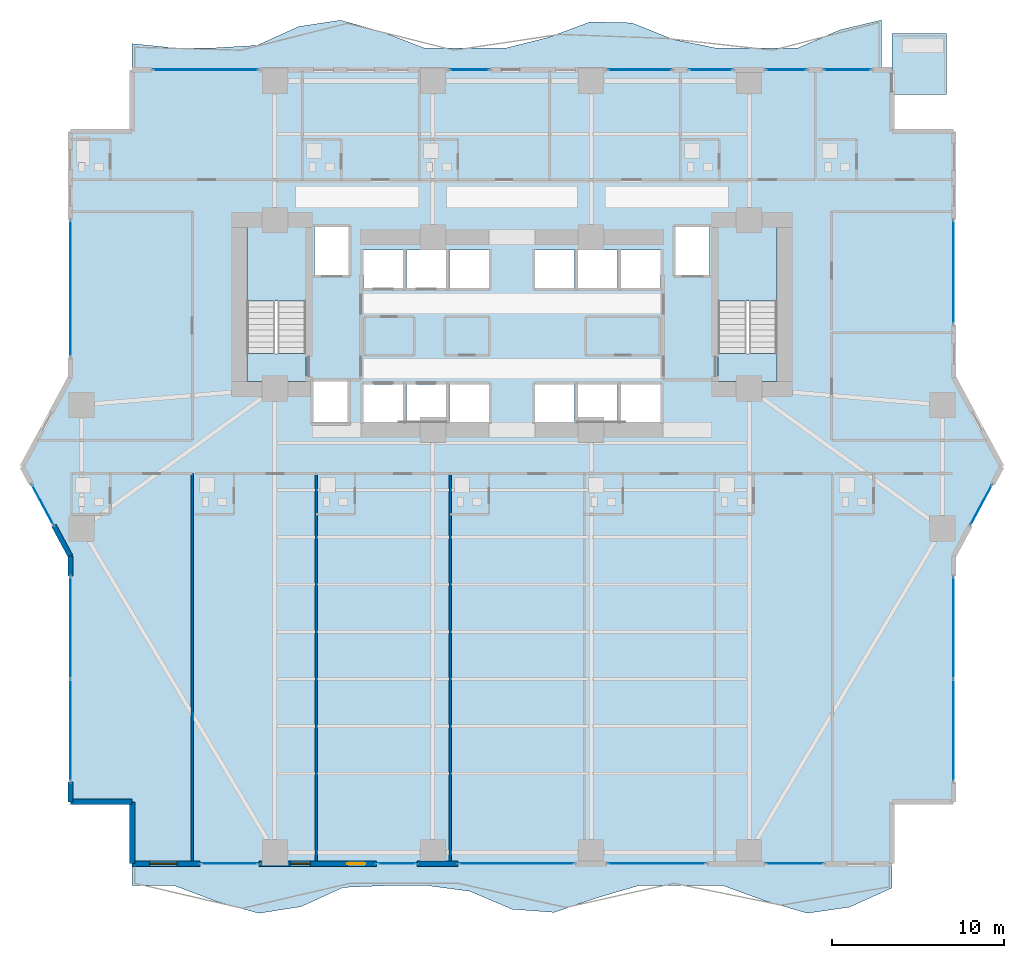
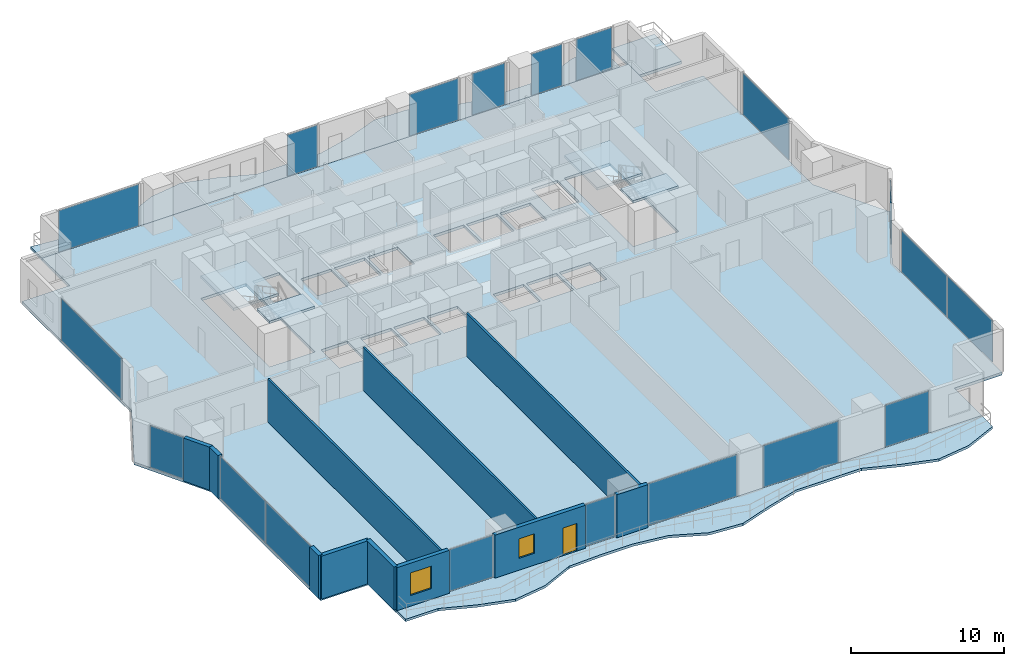
# One storey, part 18 of 28: 19 plates, 11 walls, 8 slabs, 2 windows, 1 door, 3 openings, 19 elements without a shape of their own.
"""IFC4 building model written with IfcOpenShell, lengths in metres."""

import ifcopenshell
import ifcopenshell.guid

model = None  # the IFC model being written
_history = None  # IfcOwnerHistory: only IFC2X3 demands one
_inside = {}  # id of a spatial element -> (the spatial element, [elements in it])
_under = {}  # id of a project, library or spatial element -> (it, [spatial elements below it])
_declared = {}  # id of a project -> (the project, [libraries it declares])
_typed = {}  # id of a type object -> (the type object, [elements of that type])
_made_of = {}  # id of a material, layer set ... -> (it, [elements and type objects made of it])


def new_model(schema):
    """Start an empty IFC model of exactly this schema.

    Asked for "IFC4X3", IfcOpenShell would pick the latest addendum, in which some entities
    have other attributes; the version numbers below select the first issue.
    IFC2X3 requires an IfcOwnerHistory on every rooted entity: one is made here for all.
    """
    global model, _history
    if schema == "IFC4X3":
        model = ifcopenshell.file(schema_version=(4, 3, 0, 0))
    else:
        model = ifcopenshell.file(schema=schema)
    _inside.clear()
    _under.clear()
    _declared.clear()
    _typed.clear()
    _made_of.clear()
    _history = None
    if model.schema == "IFC2X3":
        org = make("IfcOrganization", Name="unknown")
        user = make(
            "IfcPersonAndOrganization",
            ThePerson=make("IfcPerson", FamilyName="unknown"),
            TheOrganization=org,
        )
        app = make(
            "IfcApplication",
            ApplicationDeveloper=org,
            Version="unknown",
            ApplicationFullName="unknown",
            ApplicationIdentifier="unknown",
        )
        _history = make(
            "IfcOwnerHistory",
            OwningUser=user,
            OwningApplication=app,
            ChangeAction="ADDED",
            CreationDate=0,
        )
    return model


def make(cls, **values):
    """One entity of the class cls with the attributes given. An attribute that is None is left unset."""
    return model.create_entity(
        cls, **{name: value for name, value in values.items() if value is not None}
    )


def rooted(cls, **values):
    """An entity with a GlobalId (a new one), such as an element, a storey or a relation."""
    return make(cls, GlobalId=ifcopenshell.guid.new(), OwnerHistory=_history, **values)


def si_unit(unit_type, name, prefix=None):
    """IfcSIUnit, for example si_unit("LENGTHUNIT", "METRE", prefix="MILLI")."""
    return make("IfcSIUnit", UnitType=unit_type, Prefix=prefix, Name=name)


def assignment(units):
    """IfcUnitAssignment: the units of a project."""
    return None if units is None else make("IfcUnitAssignment", Units=units)


def point(xyz):
    """IfcCartesianPoint."""
    return None if xyz is None else make("IfcCartesianPoint", Coordinates=xyz)


def direction(xyz):
    """IfcDirection."""
    return None if xyz is None else make("IfcDirection", DirectionRatios=xyz)


def frame(location, z_axis=None, x_axis=None):
    """IfcAxis2Placement3D, a coordinate frame: its origin and axes. An axis left out is left unset."""
    return make(
        "IfcAxis2Placement3D",
        Location=point(location),
        Axis=direction(z_axis),
        RefDirection=direction(x_axis),
    )


def frame_2d(location, x_axis=None):
    """IfcAxis2Placement2D, a coordinate frame in the plane: its origin and x axis."""
    return make(
        "IfcAxis2Placement2D", Location=point(location), RefDirection=direction(x_axis)
    )


def origin():
    """The frame at (0, 0, 0) with its axes left unset."""
    return frame((0.0, 0.0, 0.0))


def origin_2d():
    """The frame at (0, 0) in the plane with its x axis left unset."""
    return frame_2d((0.0, 0.0))


def place(relative_to, where):
    """IfcLocalPlacement: puts the frame where relative to a parent placement (None: the world)."""
    return make(
        "IfcLocalPlacement", PlacementRelTo=relative_to, RelativePlacement=where
    )


def context(
    kind, dimensions, precision=None, world=None, true_north=None, identifier=None
):
    """IfcGeometricRepresentationContext, for example the 3D "Model" context."""
    return make(
        "IfcGeometricRepresentationContext",
        ContextIdentifier=identifier,
        ContextType=kind,
        CoordinateSpaceDimension=dimensions,
        Precision=precision,
        WorldCoordinateSystem=world,
        TrueNorth=true_north,
    )


def subcontext(parent, identifier, kind, view, scale=None):
    """IfcGeometricRepresentationSubContext, for example "Body" below "Model"."""
    return make(
        "IfcGeometricRepresentationSubContext",
        ContextIdentifier=identifier,
        ContextType=kind,
        ParentContext=parent,
        TargetScale=scale,
        TargetView=view,
    )


def project(units=None, contexts=None):
    """IfcProject with its units and contexts."""
    return rooted(
        "IfcProject",
        Name="project",
        RepresentationContexts=contexts,
        UnitsInContext=assignment(units),
    )


def spatial(cls, under=None, at=None, **own):
    """A site, building, storey or space (cls), placed at a placement, below another one or the project."""
    s = rooted(cls, ObjectPlacement=at, **own)
    if under is not None:
        _under.setdefault(under.id(), (under, []))[1].append(s)
    return s


def polyline(points):
    """IfcPolyline through the points."""
    return make("IfcPolyline", Points=[point(p) for p in points])


def profile(cls, at=None, kind="AREA", **sizes):
    """A parametric profile (cls). Its sizes go by their IFC names, for example OverallWidth=200.0."""
    return make(cls, ProfileType=kind, Position=at, **sizes)


def rectangle(**sizes):
    """IfcRectangleProfileDef."""
    return profile("IfcRectangleProfileDef", **sizes)


def outline(outer, holes=None, kind="AREA"):
    """IfcArbitraryClosedProfileDef: a profile drawn as a closed curve; with holes, ...WithVoids."""
    if holes is None:
        return make("IfcArbitraryClosedProfileDef", ProfileType=kind, OuterCurve=outer)
    return make(
        "IfcArbitraryProfileDefWithVoids",
        ProfileType=kind,
        OuterCurve=outer,
        InnerCurves=holes,
    )


def extrude(swept, where, along, depth):
    """IfcExtrudedAreaSolid: the profile swept, set in the frame where, extruded along a direction by depth."""
    return make(
        "IfcExtrudedAreaSolid",
        SweptArea=swept,
        Position=where,
        ExtrudedDirection=direction(along),
        Depth=depth,
    )


def shape(context_of_items, identifier, shape_type, items):
    """IfcShapeRepresentation: the items that make up one representation, for example the "Body"."""
    return make(
        "IfcShapeRepresentation",
        ContextOfItems=context_of_items,
        RepresentationIdentifier=identifier,
        RepresentationType=shape_type,
        Items=items,
    )


def material(Name=None, Category=None):
    """IfcMaterial."""
    return make("IfcMaterial", Name=Name, Category=Category)


def layer(
    of_material, thickness, ventilated=None, Name=None, Category=None, Priority=None
):
    """IfcMaterialLayer: one layer of a wall or slab, of a material (None: an air gap)."""
    return make(
        "IfcMaterialLayer",
        Material=of_material,
        LayerThickness=thickness,
        IsVentilated=ventilated,
        Name=Name,
        Category=Category,
        Priority=Priority,
    )


def layer_set(layers, Name=None):
    """IfcMaterialLayerSet."""
    return make("IfcMaterialLayerSet", MaterialLayers=layers, LayerSetName=Name)


def made_of(thing, what):
    """Note that an element or type object is made of a material, layer set ...; save() writes the relation."""
    if what is not None:
        _made_of.setdefault(what.id(), (what, []))[1].append(thing)
    return thing


def type_object(cls, material=None, **own):
    """A type object (cls), such as IfcWallType, which elements share."""
    return made_of(rooted(cls, **own), material)


def element(
    cls,
    number,
    at=None,
    inside=None,
    cuts=None,
    type_object=None,
    material=None,
    context=None,
    identifier="Body",
    shape_type=None,
    held_by="IfcProductDefinitionShape",
    body=None,
    shapes=None,
    **own,
):
    """One element of the class cls, such as IfcWall. Its Tag is "e" and its number.

    at: its placement. inside: the storey or other place that contains it. cuts: it is an
    opening in that element (IfcRelVoidsElement). A single representation is given by context,
    identifier, shape_type and body (its items); several are given by shapes. held_by: the class
    of the entity that holds the representations. save() writes the other relations.
    """
    e = rooted(cls, Tag="e%d" % number, ObjectPlacement=at, **own)
    if body is not None:
        shapes = [shape(context, identifier, shape_type, body)]
    if shapes is not None:
        e.Representation = make(held_by, Representations=shapes)
    if inside is not None:
        _inside.setdefault(inside.id(), (inside, []))[1].append(e)
    if cuts is not None:
        rooted(
            "IfcRelVoidsElement", RelatingBuildingElement=cuts, RelatedOpeningElement=e
        )
    if type_object is not None:
        _typed.setdefault(type_object.id(), (type_object, []))[1].append(e)
    return made_of(e, material)


def fill(opening, filler):
    """IfcRelFillsElement: the door or window that sits in an opening."""
    return rooted(
        "IfcRelFillsElement",
        RelatingOpeningElement=opening,
        RelatedBuildingElement=filler,
    )


def aggregate(whole, parts):
    """IfcRelAggregates: a whole, such as a stair, and the parts it consists of."""
    return rooted("IfcRelAggregates", RelatingObject=whole, RelatedObjects=parts)


def save(model, path):
    """Write the relations noted so far, then the file.

    IfcRelAggregates (storeys below a building ...), IfcRelContainedInSpatialStructure (elements
    in a storey), IfcRelDefinesByType, IfcRelAssociatesMaterial and IfcRelDeclares: one each for
    every whole, place, type object, material and project.
    """
    for whole, parts in _under.values():
        aggregate(whole, parts)
    for where, things in _inside.values():
        rooted(
            "IfcRelContainedInSpatialStructure",
            RelatedElements=things,
            RelatingStructure=where,
        )
    for kind, things in _typed.values():
        rooted("IfcRelDefinesByType", RelatedObjects=things, RelatingType=kind)
    for what, things in _made_of.values():
        rooted("IfcRelAssociatesMaterial", RelatedObjects=things, RelatingMaterial=what)
    for by, libraries in _declared.values():
        rooted("IfcRelDeclares", RelatingContext=by, RelatedDefinitions=libraries)
    model.write(path)


model = new_model("IFC4")

# Units and contexts
model_context = context("Model", 3, precision=1e-05, world=origin(), true_north=direction((0.0, 1.0)))
body_context = subcontext(model_context, "Body", "Model", "MODEL_VIEW")
ifc_project = project(units=[si_unit("LENGTHUNIT", "METRE"), si_unit("AREAUNIT", "SQUARE_METRE"), si_unit("VOLUMEUNIT", "CUBIC_METRE"), si_unit("PLANEANGLEUNIT", "RADIAN"), si_unit("MASSUNIT", "GRAM", prefix="KILO")], contexts=[model_context])

# Site, building, storey
site_placement = place(None, origin())
site = spatial("IfcSite", under=ifc_project, at=site_placement, CompositionType="ELEMENT")
building_placement = place(site_placement, origin())
building = spatial("IfcBuilding", under=site, at=building_placement, Name="Zuhayl Quay Hotel", CompositionType="ELEMENT")
storey_placement = place(building_placement, frame((0.0, 0.0, 56.800048828125)))
storey = spatial("IfcBuildingStorey", under=building, at=storey_placement, Name="L13", CompositionType="ELEMENT", Elevation=56.800048828125)

# Curtain wall, plates
ifc_material_1 = material(Name="Anodised Aluminium 6063-T6", Category="aluminium")
ifc_layer_1 = layer(ifc_material_1, 0.18994140625, Name="Anodised Aluminium 6063-T6", Category="aluminium")
ifc_layer_set_1 = layer_set([ifc_layer_1], Name="Anodised Aluminium 6063-T6")
curtain_wall_type = type_object("IfcCurtainWallType", Name="CW_SYS_Z1", PredefinedType="USERDEFINED", material=ifc_layer_set_1)
curtain_wall_1_placement = place(storey_placement, origin())
curtain_wall_1 = element("IfcCurtainWall", 1, at=curtain_wall_1_placement, inside=storey, type_object=curtain_wall_type, Name="L13 Curtain Wall ENV_L13_E02_CW1", ObjectType="UNITISED CURTAIN WALL", PredefinedType="USERDEFINED")
ifc_material_2 = material(Name="Dark Ceramic-Fritted Solar Glass", Category="glass")
ifc_layer_2 = layer(ifc_material_2, 0.035888671875, Name="Dark Ceramic-Fritted Solar Glass", Category="glass")
ifc_layer_set_2 = layer_set([ifc_layer_2], Name="Dark Ceramic-Fritted Solar Glass")
plate_type = type_object("IfcPlateType", Name="PN_DARK_FRIT_Z1", PredefinedType="CURTAIN_PANEL", material=ifc_layer_set_2)
plate_1_placement = place(storey_placement, frame((-25.699951171875, -15.331298828125, 0.059814453125), z_axis=(0.0, 0.0, 1.0), x_axis=(0.0, 1.0, 0.0)))
plate_1 = element("IfcPlate", 2, at=plate_1_placement, type_object=plate_type, Name="CW-Z1 panel 1.1", PredefinedType="CURTAIN_PANEL", context=body_context, shape_type="SweptSolid", body=[
    extrude(rectangle(XDim=5.887451171875, YDim=0.035888671875, at=origin_2d()), origin(), (0.0, 0.0, 1.0), 3.31005859375),
])
plate_2_placement = place(storey_placement, frame((-25.699951171875, -9.36865234375, 0.059814453125), z_axis=(0.0, 0.0, 1.0), x_axis=(0.0, 1.0, 0.0)))
plate_2 = element("IfcPlate", 3, at=plate_2_placement, type_object=plate_type, Name="CW-Z1 panel 2.1", PredefinedType="CURTAIN_PANEL", context=body_context, shape_type="SweptSolid", body=[
    extrude(rectangle(XDim=5.887451171875, YDim=0.035888671875, at=origin_2d()), origin(), (0.0, 0.0, 1.0), 3.31005859375),
])
aggregate(curtain_wall_1, [plate_1, plate_2])

# Curtain wall, plate
curtain_wall_2_placement = place(storey_placement, origin())
curtain_wall_2 = element("IfcCurtainWall", 4, at=curtain_wall_2_placement, inside=storey, type_object=curtain_wall_type, Name="L13 Curtain Wall ENV_L13_E03_CW1", ObjectType="UNITISED CURTAIN WALL", PredefinedType="USERDEFINED")
plate_3_placement = place(storey_placement, frame((-27.306396484375, -2.216796875, 0.059814453125), z_axis=(0.0, 0.0, 1.0), x_axis=(-0.474091102632, 0.880475795468, 0.0)))
plate_3 = element("IfcPlate", 5, at=plate_3_placement, type_object=plate_type, Name="CW-Z1 panel 1.1", PredefinedType="CURTAIN_PANEL", context=body_context, shape_type="SweptSolid", body=[
    extrude(rectangle(XDim=2.58544921875, YDim=0.035888671875, at=origin_2d()), origin(), (0.0, 0.0, 1.0), 3.31005859375),
])
aggregate(curtain_wall_2, [plate_3])

curtain_wall_3_placement = place(storey_placement, origin())
curtain_wall_3 = element("IfcCurtainWall", 6, at=curtain_wall_3_placement, inside=storey, type_object=curtain_wall_type, Name="L13 Curtain Wall ENV_L13_E05_CW1", ObjectType="UNITISED CURTAIN WALL", PredefinedType="USERDEFINED")
plate_4_placement = place(storey_placement, frame((-25.699951171875, 10.375, 0.059814453125), z_axis=(0.0, 0.0, 1.0), x_axis=(0.0, 1.0, 0.0)))
plate_4 = element("IfcPlate", 7, at=plate_4_placement, type_object=plate_type, Name="CW-Z1 panel 1.1", PredefinedType="CURTAIN_PANEL", context=body_context, shape_type="SweptSolid", body=[
    extrude(rectangle(XDim=7.89990234375, YDim=0.035888671875, at=origin_2d()), origin(), (0.0, 0.0, 1.0), 3.31005859375),
])
aggregate(curtain_wall_3, [plate_4])

curtain_wall_4_placement = place(storey_placement, origin())
curtain_wall_4 = element("IfcCurtainWall", 8, at=curtain_wall_4_placement, inside=storey, type_object=curtain_wall_type, Name="L13 Curtain Wall ENV_L13_N_CW1", ObjectType="UNITISED CURTAIN WALL", PredefinedType="USERDEFINED")
plate_5_placement = place(storey_placement, frame((-17.8349609375, 23.10009765625, 0.059814453125), z_axis=(0.0, 0.0, 1.0), x_axis=(1.0, 0.0, 0.0)))
plate_5 = element("IfcPlate", 9, at=plate_5_placement, type_object=plate_type, Name="CW-Z1 panel 1.1", PredefinedType="CURTAIN_PANEL", context=body_context, shape_type="SweptSolid", body=[
    extrude(rectangle(XDim=6.080078125, YDim=0.035888671875, at=origin_2d()), origin(), (0.0, 0.0, 1.0), 3.31005859375),
])
aggregate(curtain_wall_4, [plate_5])

curtain_wall_5_placement = place(storey_placement, origin())
curtain_wall_5 = element("IfcCurtainWall", 10, at=curtain_wall_5_placement, inside=storey, type_object=curtain_wall_type, Name="L13 Curtain Wall ENV_L13_N_CW2", ObjectType="UNITISED CURTAIN WALL", PredefinedType="USERDEFINED")
plate_6_placement = place(storey_placement, frame((-2.467529296875, 23.10009765625, 0.059814453125), z_axis=(0.0, 0.0, 1.0), x_axis=(1.0, 0.0, 0.0)))
plate_6 = element("IfcPlate", 11, at=plate_6_placement, type_object=plate_type, Name="CW-Z1 panel 1.1", PredefinedType="CURTAIN_PANEL", context=body_context, shape_type="SweptSolid", body=[
    extrude(rectangle(XDim=2.27490234375, YDim=0.035888671875, at=origin_2d()), origin(), (0.0, 0.0, 1.0), 3.31005859375),
])
aggregate(curtain_wall_5, [plate_6])

curtain_wall_6_placement = place(storey_placement, origin())
curtain_wall_6 = element("IfcCurtainWall", 12, at=curtain_wall_6_placement, inside=storey, type_object=curtain_wall_type, Name="L13 Curtain Wall ENV_L13_N_CW3", ObjectType="UNITISED CURTAIN WALL", PredefinedType="USERDEFINED")
plate_7_placement = place(storey_placement, frame((7.43505859375, 23.10009765625, 0.059814453125), z_axis=(0.0, 0.0, 1.0), x_axis=(1.0, 0.0, 0.0)))
plate_7 = element("IfcPlate", 13, at=plate_7_placement, type_object=plate_type, Name="CW-Z1 panel 1.1", PredefinedType="CURTAIN_PANEL", context=body_context, shape_type="SweptSolid", body=[
    extrude(rectangle(XDim=3.679931640625, YDim=0.035888671875, at=origin_2d()), origin(), (0.0, 0.0, 1.0), 3.31005859375),
])
aggregate(curtain_wall_6, [plate_7])

curtain_wall_7_placement = place(storey_placement, origin())
curtain_wall_7 = element("IfcCurtainWall", 14, at=curtain_wall_7_placement, inside=storey, type_object=curtain_wall_type, Name="L13 Curtain Wall ENV_L13_N_CW4", ObjectType="UNITISED CURTAIN WALL", PredefinedType="USERDEFINED")
plate_8_placement = place(storey_placement, frame((11.56494140625, 23.10009765625, 0.059814453125), z_axis=(0.0, 0.0, 1.0), x_axis=(1.0, 0.0, 0.0)))
plate_8 = element("IfcPlate", 15, at=plate_8_placement, type_object=plate_type, Name="CW-Z1 panel 1.1", PredefinedType="CURTAIN_PANEL", context=body_context, shape_type="SweptSolid", body=[
    extrude(rectangle(XDim=2.47998046875, YDim=0.035888671875, at=origin_2d()), origin(), (0.0, 0.0, 1.0), 3.31005859375),
])
aggregate(curtain_wall_7, [plate_8])

curtain_wall_8_placement = place(storey_placement, origin())
curtain_wall_8 = element("IfcCurtainWall", 16, at=curtain_wall_8_placement, inside=storey, type_object=curtain_wall_type, Name="L13 Curtain Wall ENV_L13_N_CW5", ObjectType="UNITISED CURTAIN WALL", PredefinedType="USERDEFINED")
plate_9_placement = place(storey_placement, frame((15.955078125, 23.10009765625, 0.059814453125), z_axis=(0.0, 0.0, 1.0), x_axis=(1.0, 0.0, 0.0)))
plate_9 = element("IfcPlate", 17, at=plate_9_placement, type_object=plate_type, Name="CW-Z1 panel 1.1", PredefinedType="CURTAIN_PANEL", context=body_context, shape_type="SweptSolid", body=[
    extrude(rectangle(XDim=2.320068359375, YDim=0.035888671875, at=origin_2d()), origin(), (0.0, 0.0, 1.0), 3.31005859375),
])
aggregate(curtain_wall_8, [plate_9])

curtain_wall_9_placement = place(storey_placement, origin())
curtain_wall_9 = element("IfcCurtainWall", 18, at=curtain_wall_9_placement, inside=storey, type_object=curtain_wall_type, Name="L13 Curtain Wall ENV_L13_N_CW6", ObjectType="UNITISED CURTAIN WALL", PredefinedType="USERDEFINED")
plate_10_placement = place(storey_placement, frame((19.52001953125, 23.10009765625, 0.059814453125), z_axis=(0.0, 0.0, 1.0), x_axis=(1.0, 0.0, 0.0)))
plate_10 = element("IfcPlate", 19, at=plate_10_placement, type_object=plate_type, Name="CW-Z1 panel 1.1", PredefinedType="CURTAIN_PANEL", context=body_context, shape_type="SweptSolid", body=[
    extrude(rectangle(XDim=2.7099609375, YDim=0.035888671875, at=origin_2d()), origin(), (0.0, 0.0, 1.0), 3.31005859375),
])
aggregate(curtain_wall_9, [plate_10])

curtain_wall_10_placement = place(storey_placement, origin())
curtain_wall_10 = element("IfcCurtainWall", 20, at=curtain_wall_10_placement, inside=storey, type_object=curtain_wall_type, Name="L13 Curtain Wall ENV_L13_E11_CW1", ObjectType="UNITISED CURTAIN WALL", PredefinedType="USERDEFINED")
plate_11_placement = place(storey_placement, frame((25.699951171875, 11.324951171875, 0.059814453125), z_axis=(0.0, 0.0, 1.0), x_axis=(0.0, -1.0, 0.0)))
plate_11 = element("IfcPlate", 21, at=plate_11_placement, type_object=plate_type, Name="CW-Z1 panel 1.1", PredefinedType="CURTAIN_PANEL", context=body_context, shape_type="SweptSolid", body=[
    extrude(rectangle(XDim=6.0, YDim=0.035888671875, at=origin_2d()), origin(), (0.0, 0.0, 1.0), 3.31005859375),
])
aggregate(curtain_wall_10, [plate_11])

curtain_wall_11_placement = place(storey_placement, origin())
curtain_wall_11 = element("IfcCurtainWall", 22, at=curtain_wall_11_placement, inside=storey, type_object=curtain_wall_type, Name="L13 Curtain Wall ENV_L13_E13_CW1", ObjectType="UNITISED CURTAIN WALL", PredefinedType="USERDEFINED")
plate_12_placement = place(storey_placement, frame((27.306396484375, -2.216796875, 0.059814453125), z_axis=(0.0, 0.0, 1.0), x_axis=(-0.474091102632, -0.880475795468, 0.0)))
plate_12 = element("IfcPlate", 23, at=plate_12_placement, type_object=plate_type, Name="CW-Z1 panel 1.1", PredefinedType="CURTAIN_PANEL", context=body_context, shape_type="SweptSolid", body=[
    extrude(rectangle(XDim=2.58544921875, YDim=0.035888671875, at=origin_2d()), origin(), (0.0, 0.0, 1.0), 3.31005859375),
])
aggregate(curtain_wall_11, [plate_12])

# Curtain wall, plates
curtain_wall_12_placement = place(storey_placement, origin())
curtain_wall_12 = element("IfcCurtainWall", 24, at=curtain_wall_12_placement, inside=storey, type_object=curtain_wall_type, Name="L13 Curtain Wall ENV_L13_E14_CW1", ObjectType="UNITISED CURTAIN WALL", PredefinedType="USERDEFINED")
plate_13_placement = place(storey_placement, frame((25.699951171875, -9.36865234375, 0.059814453125), z_axis=(0.0, 0.0, 1.0), x_axis=(0.0, -1.0, 0.0)))
plate_13 = element("IfcPlate", 25, at=plate_13_placement, type_object=plate_type, Name="CW-Z1 panel 1.1", PredefinedType="CURTAIN_PANEL", context=body_context, shape_type="SweptSolid", body=[
    extrude(rectangle(XDim=5.887451171875, YDim=0.035888671875, at=origin_2d()), origin(), (0.0, 0.0, 1.0), 3.31005859375),
])
plate_14_placement = place(storey_placement, frame((25.699951171875, -15.331298828125, 0.059814453125), z_axis=(0.0, 0.0, 1.0), x_axis=(0.0, -1.0, 0.0)))
plate_14 = element("IfcPlate", 26, at=plate_14_placement, type_object=plate_type, Name="CW-Z1 panel 2.1", PredefinedType="CURTAIN_PANEL", context=body_context, shape_type="SweptSolid", body=[
    extrude(rectangle(XDim=5.887451171875, YDim=0.035888671875, at=origin_2d()), origin(), (0.0, 0.0, 1.0), 3.31005859375),
])
aggregate(curtain_wall_12, [plate_13, plate_14])

# Curtain wall, plate
curtain_wall_13_placement = place(storey_placement, origin())
curtain_wall_13 = element("IfcCurtainWall", 27, at=curtain_wall_13_placement, inside=storey, type_object=curtain_wall_type, Name="L13 Curtain Wall ENV_L13_S_CW1", ObjectType="UNITISED CURTAIN WALL", PredefinedType="USERDEFINED")
plate_15_placement = place(storey_placement, frame((16.455078125, -23.10009765625, 0.059814453125), z_axis=(0.0, 0.0, 1.0), x_axis=(-1.0, 0.0, 0.0)))
plate_15 = element("IfcPlate", 28, at=plate_15_placement, type_object=plate_type, Name="CW-Z1 panel 1.1", PredefinedType="CURTAIN_PANEL", context=body_context, shape_type="SweptSolid", body=[
    extrude(rectangle(XDim=3.320068359375, YDim=0.035888671875, at=origin_2d()), origin(), (0.0, 0.0, 1.0), 3.31005859375),
])
aggregate(curtain_wall_13, [plate_15])

curtain_wall_14_placement = place(storey_placement, origin())
curtain_wall_14 = element("IfcCurtainWall", 29, at=curtain_wall_14_placement, inside=storey, type_object=curtain_wall_type, Name="L13 Curtain Wall ENV_L13_S_CW2", ObjectType="UNITISED CURTAIN WALL", PredefinedType="USERDEFINED")
plate_16_placement = place(storey_placement, frame((8.43505859375, -23.10009765625, 0.059814453125), z_axis=(0.0, 0.0, 1.0), x_axis=(-1.0, 0.0, 0.0)))
plate_16 = element("IfcPlate", 30, at=plate_16_placement, type_object=plate_type, Name="CW-Z1 panel 1.1", PredefinedType="CURTAIN_PANEL", context=body_context, shape_type="SweptSolid", body=[
    extrude(rectangle(XDim=5.679931640625, YDim=0.035888671875, at=origin_2d()), origin(), (0.0, 0.0, 1.0), 3.31005859375),
])
aggregate(curtain_wall_14, [plate_16])

curtain_wall_15_placement = place(storey_placement, origin())
curtain_wall_15 = element("IfcCurtainWall", 31, at=curtain_wall_15_placement, inside=storey, type_object=curtain_wall_type, Name="L13 Curtain Wall ENV_L13_S_CW3", ObjectType="UNITISED CURTAIN WALL", PredefinedType="USERDEFINED")
plate_17_placement = place(storey_placement, frame((0.264892578125, -23.10009765625, 0.059814453125), z_axis=(0.0, 0.0, 1.0), x_axis=(-1.0, 0.0, 0.0)))
plate_17 = element("IfcPlate", 32, at=plate_17_placement, type_object=plate_type, Name="CW-Z1 panel 1.1", PredefinedType="CURTAIN_PANEL", context=body_context, shape_type="SweptSolid", body=[
    extrude(rectangle(XDim=6.679931640625, YDim=0.035888671875, at=origin_2d()), origin(), (0.0, 0.0, 1.0), 3.31005859375),
])
aggregate(curtain_wall_15, [plate_17])

curtain_wall_16_placement = place(storey_placement, origin())
curtain_wall_16 = element("IfcCurtainWall", 33, at=curtain_wall_16_placement, inside=storey, type_object=curtain_wall_type, Name="L13 Curtain Wall ENV_L13_S_CW4", ObjectType="UNITISED CURTAIN WALL", PredefinedType="USERDEFINED")
plate_18_placement = place(storey_placement, frame((-6.702392578125, -23.10009765625, 0.059814453125), z_axis=(0.0, 0.0, 1.0), x_axis=(-1.0, 0.0, 0.0)))
plate_18 = element("IfcPlate", 34, at=plate_18_placement, type_object=plate_type, Name="CW-Z1 panel 1.1", PredefinedType="CURTAIN_PANEL", context=body_context, shape_type="SweptSolid", body=[
    extrude(rectangle(XDim=2.215087890625, YDim=0.035888671875, at=origin_2d()), origin(), (0.0, 0.0, 1.0), 3.31005859375),
])
aggregate(curtain_wall_16, [plate_18])

curtain_wall_17_placement = place(storey_placement, origin())
curtain_wall_17 = element("IfcCurtainWall", 35, at=curtain_wall_17_placement, inside=storey, type_object=curtain_wall_type, Name="L13 Curtain Wall ENV_L13_S_CW5", ObjectType="UNITISED CURTAIN WALL", PredefinedType="USERDEFINED")
plate_19_placement = place(storey_placement, frame((-16.43505859375, -23.10009765625, 0.059814453125), z_axis=(0.0, 0.0, 1.0), x_axis=(-1.0, 0.0, 0.0)))
plate_19 = element("IfcPlate", 36, at=plate_19_placement, type_object=plate_type, Name="CW-Z1 panel 1.1", PredefinedType="CURTAIN_PANEL", context=body_context, shape_type="SweptSolid", body=[
    extrude(rectangle(XDim=3.280029296875, YDim=0.035888671875, at=origin_2d()), origin(), (0.0, 0.0, 1.0), 3.31005859375),
])
aggregate(curtain_wall_17, [plate_19])

# Slabs
ifc_material_3 = material(Name="Concrete C45/55", Category="concrete")
ifc_layer_3 = layer(ifc_material_3, 0.195068359375, Name="Concrete C45/55", Category="concrete")
ifc_layer_set_3 = layer_set([ifc_layer_3], Name="Concrete C45/55")
slab_type_1 = type_object("IfcSlabType", Name="SL_BALCONY_195", PredefinedType="FLOOR", material=ifc_layer_set_3)
slab_1_placement = place(storey_placement, frame((0.0, 0.0, -0.195068359375)))
element("IfcSlab", 37, at=slab_1_placement, inside=storey, type_object=slab_type_1, Name="L13 Exterior Rippling Balcony Slab North", PredefinedType="FLOOR", context=body_context, shape_type="SweptSolid", body=[
    extrude(outline(polyline([(-22.10009765625, 23.10009765625), (21.5, 23.10009765625), (21.5, 25.998291015625), (19.077880859375, 25.421630859375), (16.655517578125, 24.3798828125), (14.2333984375, 24.3798828125), (11.81103515625, 24.3798828125), (9.388916015625, 24.869873046875), (6.966796875, 25.83251953125), (4.54443359375, 25.887451171875), (2.122314453125, 24.988525390625), (-0.300048828125, 24.3798828125), (-2.72216796875, 24.3798828125), (-5.144287109375, 24.3798828125), (-7.566650390625, 25.3173828125), (-9.989013671875, 25.986328125), (-12.4111328125, 25.618408203125), (-14.833251953125, 24.522216796875), (-17.255615234375, 24.3798828125), (-19.677734375, 24.3798828125), (-22.10009765625, 24.619384765625), (-22.10009765625, 23.10009765625)])), origin(), (0.0, 0.0, 1.0), 0.195068359375),
])
slab_2_placement = place(storey_placement, frame((0.0, 0.0, -0.195068359375)))
element("IfcSlab", 38, at=slab_2_placement, inside=storey, type_object=slab_type_1, Name="L13 Exterior Rippling Balcony Slab South", PredefinedType="FLOOR", context=body_context, shape_type="SweptSolid", body=[
    extrude(outline(polyline([(-22.10009765625, -24.3798828125), (-19.644287109375, -24.3798828125), (-17.18896484375, -25.3076171875), (-14.7333984375, -25.987060546875), (-12.27783203125, -25.6025390625), (-9.822265625, -24.48486328125), (-7.36669921875, -24.3798828125), (-4.9111328125, -24.3798828125), (-2.45556640625, -24.706298828125), (0.0, -25.751708984375), (2.45556640625, -25.935302734375), (4.9111328125, -25.099853515625), (7.36669921875, -24.3798828125), (9.822265625, -24.3798828125), (12.27783203125, -24.3798828125), (14.7333984375, -25.273193359375), (17.18896484375, -25.98095703125), (19.644287109375, -25.6298828125), (22.10009765625, -24.522216796875), (22.10009765625, -23.10009765625), (-22.10009765625, -23.10009765625), (-22.10009765625, -24.3798828125)])), origin(), (0.0, 0.0, 1.0), 0.195068359375),
])
ifc_layer_4 = layer(ifc_material_3, 0.219970703125, Name="Concrete C45/55", Category="concrete")
ifc_layer_set_4 = layer_set([ifc_layer_4], Name="Concrete C45/55")
slab_type_2 = type_object("IfcSlabType", Name="SL_FLOOR_220", PredefinedType="FLOOR", material=ifc_layer_set_4)
slab_3_placement = place(storey_placement, frame((0.0, 0.0, -0.219970703125)))
element("IfcSlab", 39, at=slab_3_placement, inside=storey, type_object=slab_type_2, Name="L13 Structural Floor Slab", PredefinedType="FLOOR", context=body_context, shape_type="SweptSolid", body=[
    extrude(outline(polyline([(-22.10009765625, -23.10009765625), (22.10009765625, -23.10009765625), (22.10009765625, -19.5), (25.699951171875, -19.5), (25.699951171875, -5.199951171875), (28.5, 0.0), (25.699951171875, 5.199951171875), (25.699951171875, 19.5), (22.10009765625, 19.5), (22.10009765625, 23.10009765625), (-22.10009765625, 23.10009765625), (-22.10009765625, 19.5), (-25.699951171875, 19.5), (-25.699951171875, 5.199951171875), (-28.5, 0.0), (-25.699951171875, -5.199951171875), (-25.699951171875, -19.5), (-22.10009765625, -19.5), (-22.10009765625, -23.10009765625)]), holes=[polyline([(-12.0, 4.949951171875), (-12.0, 13.949951171875), (-15.429931640625, 13.949951171875), (-15.429931640625, 4.949951171875), (-12.0, 4.949951171875)]), polyline([(15.429931640625, 4.949951171875), (15.429931640625, 13.949951171875), (12.0, 13.949951171875), (12.0, 4.949951171875), (15.429931640625, 4.949951171875)]), polyline([(-11.5, 11.14990234375), (-9.5, 11.14990234375), (-9.5, 13.949951171875), (-11.5, 13.949951171875), (-11.5, 11.14990234375)]), polyline([(9.5, 11.14990234375), (11.5, 11.14990234375), (11.5, 13.949951171875), (9.5, 13.949951171875), (9.5, 11.14990234375)]), polyline([(-8.64990234375, 2.60009765625), (-6.35009765625, 2.60009765625), (-6.35009765625, 4.800048828125), (-8.64990234375, 4.800048828125), (-8.64990234375, 2.60009765625)]), polyline([(-6.14990234375, 2.60009765625), (-3.85009765625, 2.60009765625), (-3.85009765625, 4.800048828125), (-6.14990234375, 4.800048828125), (-6.14990234375, 2.60009765625)]), polyline([(-8.64990234375, 10.39990234375), (-6.35009765625, 10.39990234375), (-6.35009765625, 12.60009765625), (-8.64990234375, 12.60009765625), (-8.64990234375, 10.39990234375)]), polyline([(-6.14990234375, 10.39990234375), (-3.85009765625, 10.39990234375), (-3.85009765625, 12.60009765625), (-6.14990234375, 12.60009765625), (-6.14990234375, 10.39990234375)]), polyline([(-3.64990234375, 2.60009765625), (-1.35009765625, 2.60009765625), (-1.35009765625, 4.800048828125), (-3.64990234375, 4.800048828125), (-3.64990234375, 2.60009765625)]), polyline([(1.35009765625, 2.60009765625), (3.64990234375, 2.60009765625), (3.64990234375, 4.800048828125), (1.35009765625, 4.800048828125), (1.35009765625, 2.60009765625)]), polyline([(-3.64990234375, 10.39990234375), (-1.35009765625, 10.39990234375), (-1.35009765625, 12.60009765625), (-3.64990234375, 12.60009765625), (-3.64990234375, 10.39990234375)]), polyline([(1.35009765625, 10.39990234375), (3.64990234375, 10.39990234375), (3.64990234375, 12.60009765625), (1.35009765625, 12.60009765625), (1.35009765625, 10.39990234375)]), polyline([(3.85009765625, 2.60009765625), (6.14990234375, 2.60009765625), (6.14990234375, 4.800048828125), (3.85009765625, 4.800048828125), (3.85009765625, 2.60009765625)]), polyline([(6.35009765625, 2.60009765625), (8.64990234375, 2.60009765625), (8.64990234375, 4.800048828125), (6.35009765625, 4.800048828125), (6.35009765625, 2.60009765625)]), polyline([(3.85009765625, 10.39990234375), (6.14990234375, 10.39990234375), (6.14990234375, 12.60009765625), (3.85009765625, 12.60009765625), (3.85009765625, 10.39990234375)]), polyline([(6.35009765625, 10.39990234375), (8.64990234375, 10.39990234375), (8.64990234375, 12.60009765625), (6.35009765625, 12.60009765625), (6.35009765625, 10.39990234375)]), polyline([(-11.550048828125, 2.550048828125), (-9.550048828125, 2.550048828125), (-9.550048828125, 4.949951171875), (-11.550048828125, 4.949951171875), (-11.550048828125, 2.550048828125)])]), origin(), (0.0, 0.0, 1.0), 0.219970703125),
])

# Stair, slabs
stair_type = type_object("IfcStairType", Name="ST_DOGLEG_TOWER", PredefinedType="HALF_TURN_STAIR", material=ifc_material_3)
stair_1_placement = place(storey_placement, origin())
stair_1 = element("IfcStair", 40, at=stair_1_placement, inside=storey, type_object=stair_type, Name="L13 Smokeproof Exit Stair ST1", PredefinedType="HALF_TURN_STAIR")
ifc_layer_5 = layer(ifc_material_3, 0.199951171875, Name="Concrete C45/55", Category="concrete")
ifc_layer_set_5 = layer_set([ifc_layer_5], Name="Concrete C45/55")
slab_type_3 = type_object("IfcSlabType", Name="SL_STAIR_LANDING_200", PredefinedType="LANDING", material=ifc_layer_set_5)
slab_4_placement = place(storey_placement, frame((0.0, 0.0, 1.625)))
slab_4 = element("IfcSlab", 41, at=slab_4_placement, type_object=slab_type_3, Name="ST1 landing 1", PredefinedType="LANDING", context=body_context, shape_type="SweptSolid", body=[
    extrude(outline(polyline([(-12.0, 9.64990234375), (-12.0, 13.949951171875), (-15.429931640625, 13.949951171875), (-15.429931640625, 9.64990234375), (-12.0, 9.64990234375)])), origin(), (0.0, 0.0, 1.0), 0.199951171875),
])
slab_5_placement = place(storey_placement, frame((0.0, 0.0, 3.449951171875)))
slab_5 = element("IfcSlab", 42, at=slab_5_placement, type_object=slab_type_3, Name="ST1 landing 2", PredefinedType="LANDING", context=body_context, shape_type="SweptSolid", body=[
    extrude(outline(polyline([(-12.0, 4.949951171875), (-12.0, 6.590087890625), (-15.429931640625, 6.590087890625), (-15.429931640625, 4.949951171875), (-12.0, 4.949951171875)])), origin(), (0.0, 0.0, 1.0), 0.199951171875),
])
aggregate(stair_1, [slab_4, slab_5])

stair_2_placement = place(storey_placement, origin())
stair_2 = element("IfcStair", 43, at=stair_2_placement, inside=storey, type_object=stair_type, Name="L13 Smokeproof Exit Stair ST2", PredefinedType="HALF_TURN_STAIR")
slab_6_placement = place(storey_placement, frame((0.0, 0.0, 1.625)))
slab_6 = element("IfcSlab", 44, at=slab_6_placement, type_object=slab_type_3, Name="ST2 landing 1", PredefinedType="LANDING", context=body_context, shape_type="SweptSolid", body=[
    extrude(outline(polyline([(15.429931640625, 9.64990234375), (15.429931640625, 13.949951171875), (12.0, 13.949951171875), (12.0, 9.64990234375), (15.429931640625, 9.64990234375)])), origin(), (0.0, 0.0, 1.0), 0.199951171875),
])
slab_7_placement = place(storey_placement, frame((0.0, 0.0, 3.449951171875)))
slab_7 = element("IfcSlab", 45, at=slab_7_placement, type_object=slab_type_3, Name="ST2 landing 2", PredefinedType="LANDING", context=body_context, shape_type="SweptSolid", body=[
    extrude(outline(polyline([(15.429931640625, 4.949951171875), (15.429931640625, 6.590087890625), (12.0, 6.590087890625), (12.0, 4.949951171875), (15.429931640625, 4.949951171875)])), origin(), (0.0, 0.0, 1.0), 0.199951171875),
])
aggregate(stair_2, [slab_6, slab_7])

# Slab
ifc_layer_6 = layer(ifc_material_3, 0.219970703125, Name="Concrete C45/55", Category="concrete")
ifc_layer_set_6 = layer_set([ifc_layer_6], Name="Concrete C45/55")
slab_type_4 = type_object("IfcSlabType", Name="SL_TERRACE_235", PredefinedType="FLOOR", material=ifc_layer_set_6)
slab_8_placement = place(storey_placement, frame((0.0, 0.0, -0.219970703125)))
element("IfcSlab", 46, at=slab_8_placement, inside=storey, type_object=slab_type_4, Name="L13 Exterior Sky-Terrace Slab L13_SPIRAL_NE", PredefinedType="FLOOR", context=body_context, shape_type="SweptSolid", body=[
    extrude(outline(polyline([(22.10009765625, 21.64990234375), (25.300048828125, 21.64990234375), (25.300048828125, 25.199951171875), (22.10009765625, 25.199951171875), (22.10009765625, 21.64990234375)])), origin(), (0.0, 0.0, 1.0), 0.219970703125),
])

# Walls
ifc_material_4 = material(Name="Precast concrete C45/55", Category="concrete")
ifc_layer_7 = layer(ifc_material_4, 0.300048828125, Name="Precast concrete C45/55", Category="concrete")
ifc_layer_set_7 = layer_set([ifc_layer_7], Name="Precast concrete C45/55")
wall_type_1 = type_object("IfcWallType", Name="WL_EXT_300", PredefinedType="STANDARD", material=ifc_layer_set_7)
wall_1_placement = place(storey_placement, frame((-22.10009765625, -19.5, 0.0), z_axis=(0.0, 0.0, 1.0), x_axis=(-1.0, 0.0, 0.0)))
element("IfcWall", 47, at=wall_1_placement, inside=storey, type_object=wall_type_1, Name="L13 Exterior Precast Wall ENV_L13_EW01", PredefinedType="STANDARD", context=body_context, shape_type="SweptSolid", body=[
    extrude(rectangle(XDim=3.599853515625, YDim=0.300048828125, at=frame_2d((1.7998046875, 0.0))), origin(), (0.0, 0.0, 1.0), 3.429931640625),
])
wall_2_placement = place(storey_placement, frame((-25.699951171875, -19.5, 0.0), z_axis=(0.0, 0.0, 1.0), x_axis=(0.0, 1.0, 0.0)))
element("IfcWall", 48, at=wall_2_placement, inside=storey, type_object=wall_type_1, Name="L13 Exterior Precast Wall ENV_L13_E02_EW1", PredefinedType="STANDARD", context=body_context, shape_type="SweptSolid", body=[
    extrude(rectangle(XDim=1.14990234375, YDim=0.300048828125, at=frame_2d((0.574951171875, 0.0))), origin(), (0.0, 0.0, 1.0), 3.429931640625),
])
wall_3_placement = place(storey_placement, frame((-25.699951171875, -6.35009765625, 0.0), z_axis=(0.0, 0.0, 1.0), x_axis=(0.0, 1.0, 0.0)))
element("IfcWall", 49, at=wall_3_placement, inside=storey, type_object=wall_type_1, Name="L13 Exterior Precast Wall ENV_L13_E02_EW2", PredefinedType="STANDARD", context=body_context, shape_type="SweptSolid", body=[
    extrude(rectangle(XDim=1.150146484375, YDim=0.300048828125, at=frame_2d((0.5751953125, 0.0))), origin(), (0.0, 0.0, 1.0), 3.429931640625),
])
wall_4_placement = place(storey_placement, frame((-25.699951171875, -5.199951171875, 0.0), z_axis=(0.0, 0.0, 1.0), x_axis=(-0.474121438562, 0.88045946045, 0.0)))
element("IfcWall", 50, at=wall_4_placement, inside=storey, type_object=wall_type_1, Name="L13 Exterior Precast Wall ENV_L13_E03_EW1", PredefinedType="STANDARD", context=body_context, shape_type="SweptSolid", body=[
    extrude(rectangle(XDim=2.0205078125, YDim=0.300048828125, at=frame_2d((1.01025390625, 0.0))), origin(), (0.0, 0.0, 1.0), 3.429931640625),
])
wall_5_placement = place(storey_placement, frame((-3.14990234375, -23.10009765625, 0.0), z_axis=(0.0, 0.0, 1.0), x_axis=(-1.0, 0.0, 0.0)))
element("IfcWall", 51, at=wall_5_placement, inside=storey, type_object=wall_type_1, Name="L13 Exterior Precast Wall ENV_L13_S_EW4", PredefinedType="STANDARD", context=body_context, shape_type="SweptSolid", body=[
    extrude(rectangle(XDim=2.3701171875, YDim=0.300048828125, at=frame_2d((1.18505859375, 0.0))), origin(), (0.0, 0.0, 1.0), 3.429931640625),
])

# Wall, openings, door, window
wall_6_placement = place(storey_placement, frame((-7.885009765625, -23.10009765625, 0.0), z_axis=(0.0, 0.0, 1.0), x_axis=(-1.0, 0.0, 0.0)))
wall_6 = element("IfcWall", 52, at=wall_6_placement, inside=storey, type_object=wall_type_1, Name="L13 Exterior Precast Wall ENV_L13_S_EW5", PredefinedType="STANDARD", context=body_context, shape_type="SweptSolid", body=[
    extrude(rectangle(XDim=6.8349609375, YDim=0.300048828125, at=frame_2d((3.41748046875, 0.0))), origin(), (0.0, 0.0, 1.0), 3.429931640625),
])
opening_1_placement = place(wall_6_placement, frame((0.64990234375, 0.0, 0.0)))
opening_1 = element("IfcOpeningElement", 53, at=opening_1_placement, cuts=wall_6, Name="Opening DG1", PredefinedType="OPENING", context=body_context, shape_type="SweptSolid", body=[
    extrude(rectangle(XDim=1.050048828125, YDim=2.199951171875, at=frame_2d((0.52490234375, 1.10009765625))), frame((0.0, 0.159912109375, 0.0), z_axis=(0.0, -1.0, 0.0), x_axis=(1.0, 0.0, 0.0)), (0.0, 0.0, 1.0), 0.320068359375),
])
opening_2_placement = place(wall_6_placement, frame((3.85009765625, 0.0, 0.949951171875)))
opening_2 = element("IfcOpeningElement", 54, at=opening_2_placement, cuts=wall_6, Name="Opening W01N", PredefinedType="OPENING", context=body_context, shape_type="SweptSolid", body=[
    extrude(rectangle(XDim=1.14990234375, YDim=1.550048828125, at=frame_2d((0.574951171875, 0.77490234375))), frame((0.0, 0.159912109375, 0.0), z_axis=(0.0, -1.0, 0.0), x_axis=(1.0, 0.0, 0.0)), (0.0, 0.0, 1.0), 0.320068359375),
])
ifc_material_5 = material(Name="Anodised Aluminium and Dark Solar Glass", Category="aluminium")
door_type = type_object("IfcDoorType", Name="DR_EXT_TERR_1050", OperationType="NOTDEFINED", PredefinedType="DOOR", material=ifc_material_5)
door_placement = place(opening_1_placement, origin())
door = element("IfcDoor", 55, at=door_placement, inside=storey, type_object=door_type, Name="L13 South Rippling Balcony Door", OperationType="SINGLE_SWING_RIGHT", OverallHeight=2.199951171875, OverallWidth=1.050048828125, PredefinedType="DOOR", context=body_context, shape_type="SweptSolid", body=[
    extrude(rectangle(XDim=1.050048828125, YDim=2.199951171875, at=frame_2d((0.52490234375, 1.10009765625))), frame((0.0, 0.02490234375, 0.0), z_axis=(0.0, -1.0, 0.0), x_axis=(1.0, 0.0, 0.0)), (0.0, 0.0, 1.0), 0.050048828125),
])
fill(opening_1, door)
window_type_1 = type_object("IfcWindowType", Name="WN_NOTCH_1350", PartitioningType="SINGLE_PANEL", PredefinedType="WINDOW", material=ifc_material_2)
window_1_placement = place(opening_2_placement, origin())
window_1 = element("IfcWindow", 56, at=window_1_placement, inside=storey, type_object=window_type_1, Name="L13 Operable Facade Window 5-1", OverallHeight=1.550048828125, OverallWidth=1.14990234375, PartitioningType="SINGLE_PANEL", PredefinedType="WINDOW", context=body_context, shape_type="SweptSolid", body=[
    extrude(rectangle(XDim=1.14990234375, YDim=1.550048828125, at=frame_2d((0.574951171875, 0.77490234375))), frame((0.0, 0.030029296875, 0.0), z_axis=(0.0, -1.0, 0.0), x_axis=(1.0, 0.0, 0.0)), (0.0, 0.0, 1.0), 0.06005859375),
])
fill(opening_2, window_1)

# Wall, opening, window
wall_7_placement = place(storey_placement, frame((-18.14990234375, -23.10009765625, 0.0), z_axis=(0.0, 0.0, 1.0), x_axis=(-1.0, 0.0, 0.0)))
wall_7 = element("IfcWall", 57, at=wall_7_placement, inside=storey, type_object=wall_type_1, Name="L13 Exterior Precast Wall ENV_L13_S_EW6", PredefinedType="STANDARD", context=body_context, shape_type="SweptSolid", body=[
    extrude(rectangle(XDim=3.9501953125, YDim=0.300048828125, at=frame_2d((1.97509765625, 0.0))), origin(), (0.0, 0.0, 1.0), 3.429931640625),
])
opening_3_placement = place(wall_7_placement, frame((1.340087890625, 0.0, 0.85009765625)))
opening_3 = element("IfcOpeningElement", 58, at=opening_3_placement, cuts=wall_7, Name="Opening W01", PredefinedType="OPENING", context=body_context, shape_type="SweptSolid", body=[
    extrude(rectangle(XDim=1.60009765625, YDim=1.800048828125, at=frame_2d((0.800048828125, 0.89990234375))), frame((0.0, 0.159912109375, 0.0), z_axis=(0.0, -1.0, 0.0), x_axis=(1.0, 0.0, 0.0)), (0.0, 0.0, 1.0), 0.320068359375),
])
window_type_2 = type_object("IfcWindowType", Name="WN_OPERABLE_1600", PartitioningType="DOUBLE_PANEL_VERTICAL", PredefinedType="WINDOW", material=ifc_material_2)
window_2_placement = place(opening_3_placement, origin())
window_2 = element("IfcWindow", 59, at=window_2_placement, inside=storey, type_object=window_type_2, Name="L13 Operable Facade Window 6-1", OverallHeight=1.800048828125, OverallWidth=1.60009765625, PartitioningType="SINGLE_PANEL", PredefinedType="WINDOW", context=body_context, shape_type="SweptSolid", body=[
    extrude(rectangle(XDim=1.60009765625, YDim=1.800048828125, at=frame_2d((0.800048828125, 0.89990234375))), frame((0.0, 0.030029296875, 0.0), z_axis=(0.0, -1.0, 0.0), x_axis=(1.0, 0.0, 0.0)), (0.0, 0.0, 1.0), 0.06005859375),
])
fill(opening_3, window_2)

# Walls
wall_8_placement = place(storey_placement, frame((-22.10009765625, -23.10009765625, 0.0), z_axis=(0.0, 0.0, 1.0), x_axis=(0.0, 1.0, 0.0)))
element("IfcWall", 60, at=wall_8_placement, inside=storey, type_object=wall_type_1, Name="L13 Exterior Precast Wall ENV_L13_EW18", PredefinedType="STANDARD", context=body_context, shape_type="SweptSolid", body=[
    extrude(rectangle(XDim=3.60009765625, YDim=0.300048828125, at=frame_2d((1.800048828125, 0.0))), origin(), (0.0, 0.0, 1.0), 3.429931640625),
])
ifc_material_6 = material(Name="Acoustic Gypsum Partition STC-58")
ifc_layer_8 = layer(ifc_material_6, 0.14990234375, Name="Acoustic Gypsum Partition STC-58")
ifc_layer_set_8 = layer_set([ifc_layer_8], Name="Acoustic Gypsum Partition STC-58")
wall_type_2 = type_object("IfcWallType", Name="WL_PART_150", PredefinedType="PARTITIONING", material=ifc_layer_set_8)
for number, where, z_axis, x_axis, name in (
    (61, (-18.60009765625, -23.02001953125, 0.0), (0.0, 0.0, 1.0), (0.0, 1.0, 0.0), "L13 Partition IW_L13_SU01A_E"),
    (62, (-11.39990234375, -23.02001953125, 0.0), (0.0, 0.0, 1.0), (0.0, 1.0, 0.0), "L13 Partition IW_L13_SU01B_E"),
    (63, (-3.60009765625, -23.02001953125, 0.0), (0.0, 0.0, 1.0), (0.0, 1.0, 0.0), "L13 Partition IW_L13_SU02_E"),
):
    element("IfcWall", number, at=place(storey_placement, frame(where, z_axis=z_axis, x_axis=x_axis)), inside=storey, type_object=wall_type_2, Name=name, PredefinedType="PARTITIONING", context=body_context, shape_type="SweptSolid", body=[
        extrude(rectangle(XDim=22.6201171875, YDim=0.14990234375, at=frame_2d((11.31005859375, 0.0))), origin(), (0.0, 0.0, 1.0), 3.429931640625),
    ])

save(model, "model.ifc")
